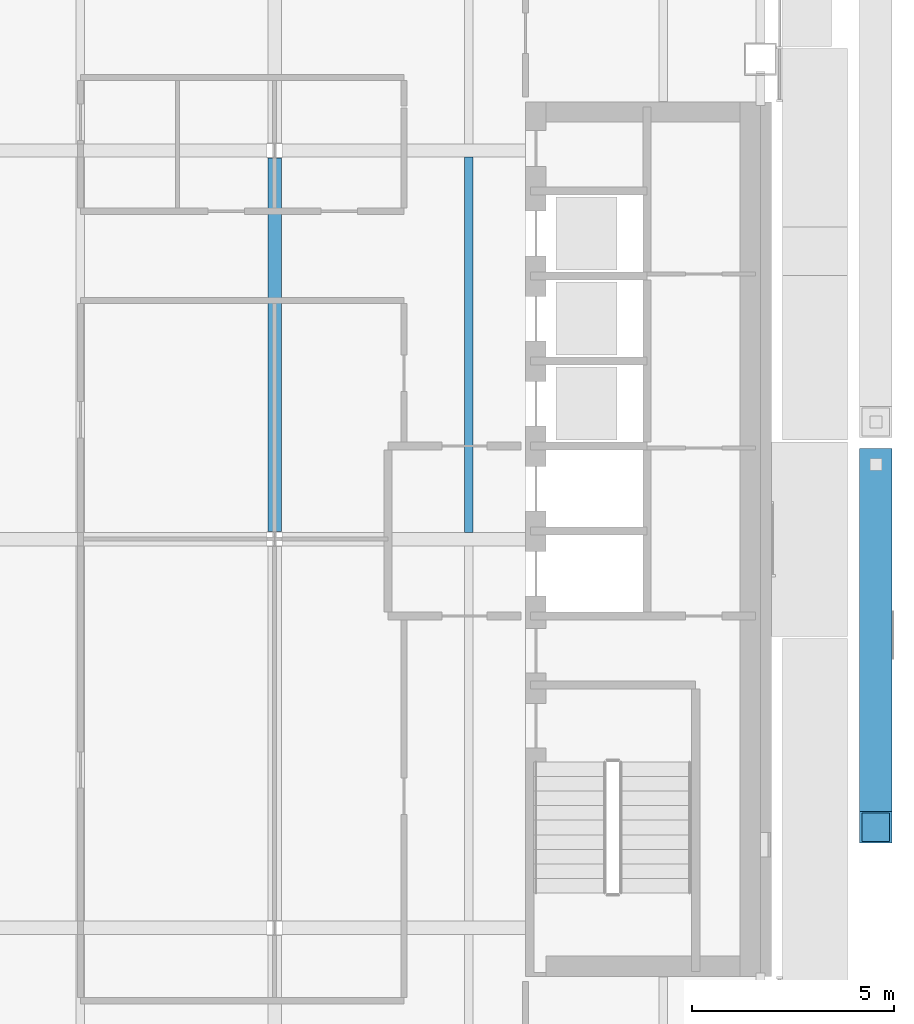
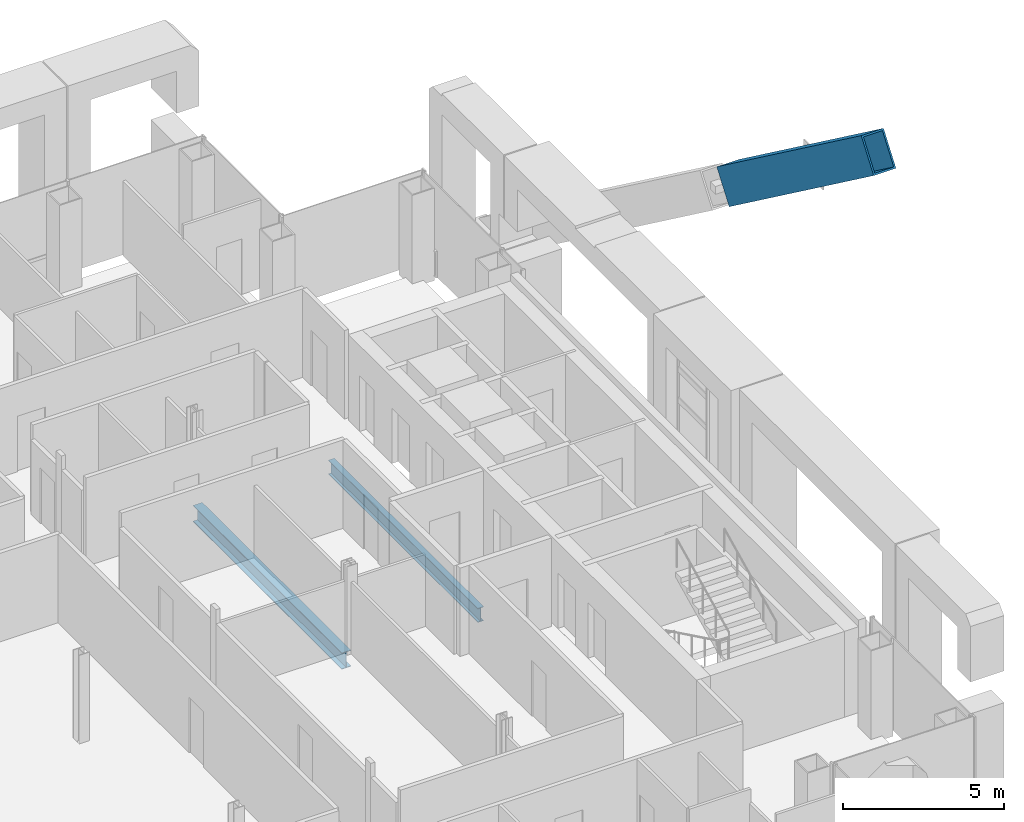
# One storey, part 7 of 22: 2 beams, 1 member.
"""IFC4 building model written with IfcOpenShell, lengths in metres."""

from ifc_helpers import new_model, si_unit, direction, frame, origin, origin_2d, place, context, subcontext, project, spatial, hollow_rectangle, i_section, extrude, material, material_profile, profile_set, type_object, element, save


model = new_model("IFC4")

# Units and contexts
model_context = context("Model", 3, precision=1e-05, world=origin(), true_north=direction((0.0, 1.0)))
body_context = subcontext(model_context, "Body", "Model", "MODEL_VIEW")
ifc_project = project(units=[si_unit("LENGTHUNIT", "METRE"), si_unit("AREAUNIT", "SQUARE_METRE"), si_unit("VOLUMEUNIT", "CUBIC_METRE"), si_unit("PLANEANGLEUNIT", "RADIAN"), si_unit("MASSUNIT", "GRAM", prefix="KILO")], contexts=[model_context])

# Site, building, storey
site_placement = place(None, origin())
site = spatial("IfcSite", under=ifc_project, at=site_placement, CompositionType="ELEMENT")
building_placement = place(site_placement, origin())
building = spatial("IfcBuilding", under=site, at=building_placement, Name="Cobrizo Arcos Hotel Tower", CompositionType="ELEMENT")
storey_placement = place(building_placement, frame((0.0, 0.0, 162.0)))
storey = spatial("IfcBuildingStorey", under=building, at=storey_placement, Name="L41", CompositionType="ELEMENT", Elevation=162.0)

# Member
ifc_material_1 = material(Name="Steel ASTM A572 Grade 50", Category="steel")
ifc_material_profile_1 = material_profile(ifc_material_1, hollow_rectangle(XDim=0.800048828125, YDim=1.300048828125, WallThickness=0.06005859375, at=origin_2d()), Name="BOX 800X1300X60")
ifc_profile_set_1 = profile_set([ifc_material_profile_1], Name="Steel ASTM A572 Grade 50")
member_type = type_object("IfcMemberType", Name="BOX 800X1300X60 perimeter brace", PredefinedType="BRACE", material=ifc_profile_set_1)
member_placement = place(storey_placement, frame((24.449951171875, 1.84814453125, 11.385986328125), z_axis=(0.0, -0.804620954099, 0.593788784186), x_axis=(1.0, 0.0, 0.0)))
element("IfcMember", 1, at=member_placement, inside=storey, type_object=member_type, Name="Perimeter brace PBR3, zone Z3, east face, no. 09b", PredefinedType="BRACE", context=body_context, shape_type="SweptSolid", body=[
    extrude(hollow_rectangle(XDim=0.800048828125, YDim=1.300048828125, WallThickness=0.06005859375, at=origin_2d()), origin(), (0.0, 0.0, 1.0), 11.138671875),
])

# Beams
ifc_material_2 = material(Name="Steel ASTM A992 Grade 50", Category="steel")
ifc_material_profile_2 = material_profile(ifc_material_2, i_section(OverallWidth=0.209228515625, OverallDepth=0.533447265625, WebThickness=0.01025390625, FlangeThickness=0.015625, at=origin_2d()), Name="W21X62")
ifc_profile_set_2 = profile_set([ifc_material_profile_2], Name="Steel ASTM A992 Grade 50")
beam_type_1 = type_object("IfcBeamType", Name="W21X62 joist", PredefinedType="JOIST", material=ifc_profile_set_2)
beam_1_placement = place(storey_placement, frame((14.39990234375, 0.163818359375, -0.416748046875), z_axis=(0.0, 1.0, 0.0), x_axis=(-1.0, 0.0, 0.0)))
element("IfcBeam", 2, at=beam_1_placement, inside=storey, type_object=beam_type_1, Name="Floor joist J1, L41, no. 017", PredefinedType="JOIST", context=body_context, shape_type="SweptSolid", body=[
    extrude(i_section(OverallWidth=0.209228515625, OverallDepth=0.533447265625, WebThickness=0.01025390625, FlangeThickness=0.015625, at=origin_2d()), origin(), (0.0, 0.0, 1.0), 9.272216796875),
])
ifc_material_profile_3 = material_profile(ifc_material_2, i_section(OverallWidth=0.32763671875, OverallDepth=0.622314453125, WebThickness=0.015380859375, FlangeThickness=0.0244140625, at=origin_2d()), Name="W24X131")
ifc_profile_set_3 = profile_set([ifc_material_profile_3], Name="Steel ASTM A992 Grade 50")
beam_type_2 = type_object("IfcBeamType", Name="W24X131 girder", PredefinedType="BEAM", material=ifc_profile_set_3)
beam_2_placement = place(storey_placement, frame((9.60009765625, 0.186767578125, -0.461181640625), z_axis=(0.0, 1.0, 0.0), x_axis=(-1.0, 0.0, 0.0)))
element("IfcBeam", 3, at=beam_2_placement, inside=storey, type_object=beam_type_2, Name="Floor girder G1, L41, no. 023", PredefinedType="BEAM", context=body_context, shape_type="SweptSolid", body=[
    extrude(i_section(OverallWidth=0.32763671875, OverallDepth=0.622314453125, WebThickness=0.015380859375, FlangeThickness=0.0244140625, at=origin_2d()), origin(), (0.0, 0.0, 1.0), 9.2265625),
])

save(model, "model.ifc")
